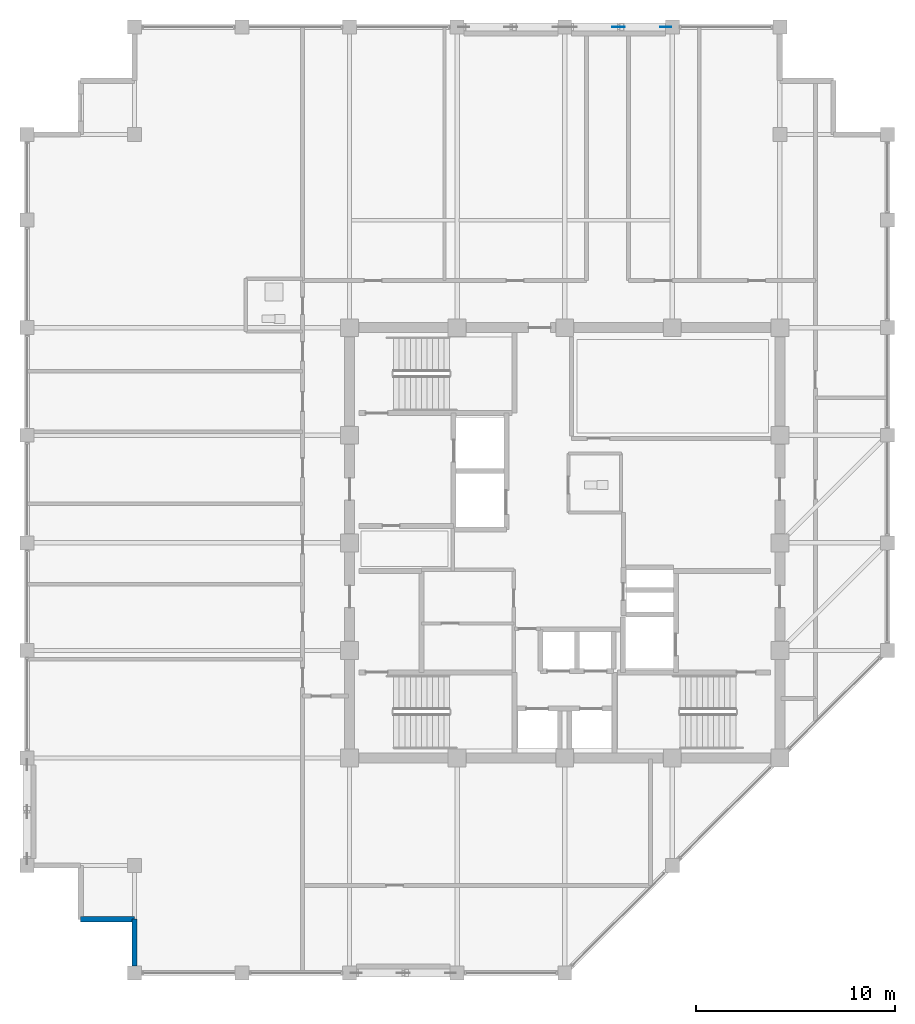
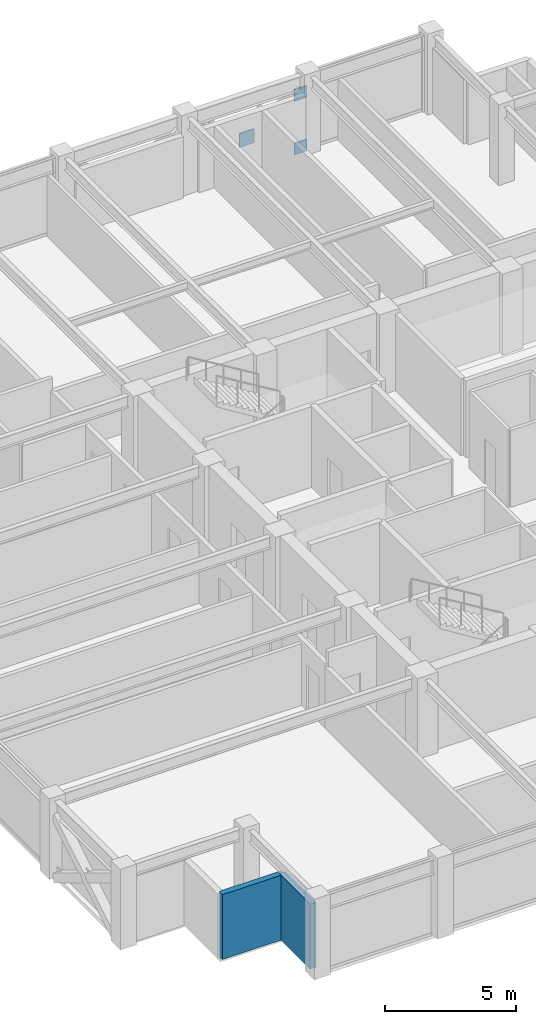
# One storey, part 25 of 30: 3 plates, 2 walls.
"""IFC4 building model written with IfcOpenShell, lengths in metres."""

from ifc_helpers import new_model, si_unit, direction, frame, frame_2d, origin, origin_2d, place, context, subcontext, project, spatial, rectangle, extrude, material, layer, layer_set, type_object, element, save


model = new_model("IFC4")

# Units and contexts
model_context = context("Model", 3, precision=1e-05, world=origin(), true_north=direction((0.0, 1.0)))
body_context = subcontext(model_context, "Body", "Model", "MODEL_VIEW")
ifc_project = project(units=[si_unit("LENGTHUNIT", "METRE"), si_unit("AREAUNIT", "SQUARE_METRE"), si_unit("VOLUMEUNIT", "CUBIC_METRE"), si_unit("PLANEANGLEUNIT", "RADIAN"), si_unit("MASSUNIT", "GRAM", prefix="KILO")], contexts=[model_context])

# Site, building, storey
site_placement = place(None, origin())
site = spatial("IfcSite", under=ifc_project, at=site_placement, CompositionType="ELEMENT")
building_placement = place(site_placement, origin())
building = spatial("IfcBuilding", under=site, at=building_placement, Name="Surkhivell Harbour Commons", CompositionType="ELEMENT")
storey_placement = place(building_placement, frame((0.0, 0.0, 300.0)))
storey = spatial("IfcBuildingStorey", under=building, at=storey_placement, Name="L78", CompositionType="ELEMENT", Elevation=300.0)

# Plates
ifc_material_1 = material(Name="Steel S460", Category="steel")
ifc_layer_1 = layer(ifc_material_1, 0.035888671875)
ifc_layer_set_1 = layer_set([ifc_layer_1], Name="Steel S460")
plate_type_1 = type_object("IfcPlateType", Name="PLT-GUS-550", PredefinedType="USERDEFINED", material=ifc_layer_set_1)
for number, where, z_axis, x_axis, name in (
    (1, (5.06494140625, 25.89990234375, -0.07470703125), (0.0, 0.0, 1.0), (1.0, 0.0, 0.0), "L78 Perimeter Mega-Brace MB- Corner Gusset N2-2"),
    (2, (5.06494140625, 25.89990234375, 2.41357421875), (0.0, 0.0, 1.0), (1.0, 0.0, 0.0), "L78 Perimeter Mega-Brace MB- Corner Gusset N2-4"),
):
    element("IfcPlate", number, at=place(storey_placement, frame(where, z_axis=z_axis, x_axis=x_axis)), inside=storey, type_object=plate_type_1, Name=name, ObjectType="GUSSET_PLATE", PredefinedType="USERDEFINED", context=body_context, shape_type="SweptSolid", body=[
        extrude(rectangle(XDim=0.550048828125, YDim=0.035888671875, at=origin_2d()), origin(), (0.0, 0.0, 1.0), 0.550048828125),
    ])
ifc_layer_2 = layer(ifc_material_1, 0.044921875)
ifc_layer_set_2 = layer_set([ifc_layer_2], Name="Steel S460")
plate_type_2 = type_object("IfcPlateType", Name="PLT-GUS-650", PredefinedType="USERDEFINED", material=ifc_layer_set_2)
plate_placement = place(storey_placement, frame((2.699951171875, 25.89990234375, 1.11962890625), z_axis=(0.0, 0.0, 1.0), x_axis=(1.0, 0.0, 0.0)))
element("IfcPlate", 3, at=plate_placement, inside=storey, type_object=plate_type_2, Name="L78 Perimeter Mega-Brace MB- Central Crossing Gusset N2", ObjectType="GUSSET_PLATE", PredefinedType="USERDEFINED", context=body_context, shape_type="SweptSolid", body=[
    extrude(rectangle(XDim=0.64990234375, YDim=0.044921875, at=origin_2d()), origin(), (0.0, 0.0, 1.0), 0.64990234375),
])

# Walls
ifc_material_2 = material(Name="Pale-metal insulated precast concrete C45/55", Category="concrete")
ifc_layer_3 = layer(ifc_material_2, 0.260009765625)
ifc_layer_set_3 = layer_set([ifc_layer_3], Name="Pale-metal insulated precast concrete C45/55")
wall_type = type_object("IfcWallType", Name="WAL-EXT-MTL260", PredefinedType="STANDARD", material=ifc_layer_set_3)
wall_1_placement = place(storey_placement, frame((-24.300048828125, -18.89990234375, 0.0), z_axis=(0.0, 0.0, 1.0), x_axis=(1.0, 0.0, 0.0)))
element("IfcWall", 4, at=wall_1_placement, inside=storey, type_object=wall_type, Name="L78 Serrated Corner Facade Wall 15", PredefinedType="STANDARD", context=body_context, shape_type="SweptSolid", body=[
    extrude(rectangle(XDim=2.699951171875, YDim=0.260009765625, at=frame_2d((1.35009765625, 0.0))), origin(), (0.0, 0.0, 1.0), 3.012939453125),
])
wall_2_placement = place(storey_placement, frame((-21.60009765625, -18.89990234375, 0.0), z_axis=(0.0, 0.0, 1.0), x_axis=(0.0, -1.0, 0.0)))
element("IfcWall", 5, at=wall_2_placement, inside=storey, type_object=wall_type, Name="L78 Serrated Corner Facade Wall 16", PredefinedType="STANDARD", context=body_context, shape_type="SweptSolid", body=[
    extrude(rectangle(XDim=2.35205078125, YDim=0.260009765625, at=frame_2d((1.176025390625, 0.0))), origin(), (0.0, 0.0, 1.0), 3.012939453125),
])

save(model, "model.ifc")
